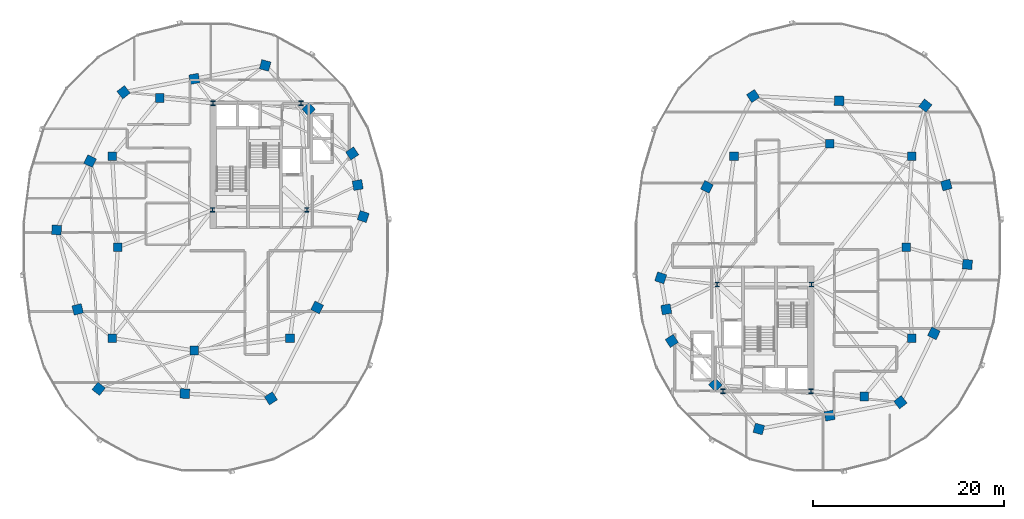
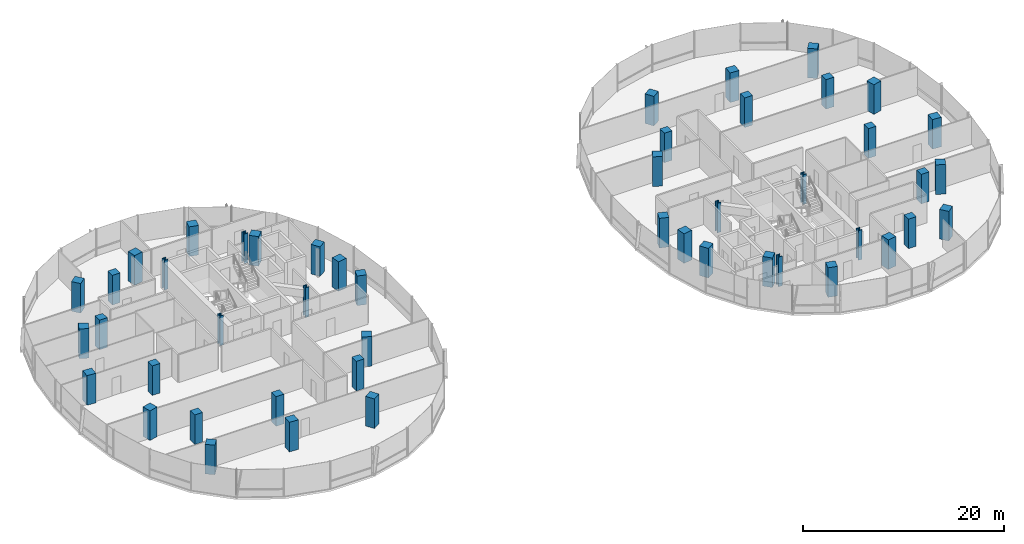
# One storey, part 1 of 23: 48 columns.
"""IFC4 building model written with IfcOpenShell, lengths in metres."""

from ifc_helpers import new_model, si_unit, direction, frame, origin, origin_2d, place, context, subcontext, project, spatial, rectangle, i_section, extrude, material, material_profile, profile_set, type_object, element, save


model = new_model("IFC4")

# Units and contexts
model_context = context("Model", 3, precision=1e-05, world=origin(), true_north=direction((0.0, 1.0)))
body_context = subcontext(model_context, "Body", "Model", "MODEL_VIEW")
ifc_project = project(units=[si_unit("LENGTHUNIT", "METRE"), si_unit("AREAUNIT", "SQUARE_METRE"), si_unit("VOLUMEUNIT", "CUBIC_METRE"), si_unit("PLANEANGLEUNIT", "RADIAN"), si_unit("MASSUNIT", "GRAM", prefix="KILO"), si_unit("THERMODYNAMICTEMPERATUREUNIT", "KELVIN"), si_unit("POWERUNIT", "WATT")], contexts=[model_context])

# Site, building, storey
site_placement = place(None, origin())
site = spatial("IfcSite", under=ifc_project, at=site_placement, CompositionType="ELEMENT")
building_placement = place(site_placement, origin())
building = spatial("IfcBuilding", under=site, at=building_placement, Name="Cundina Bronze Exchange", CompositionType="ELEMENT")
storey_placement = place(building_placement, frame((0.0, 0.0, 169.199951171875)))
storey = spatial("IfcBuildingStorey", under=building, at=storey_placement, Name="L44", CompositionType="ELEMENT", Elevation=169.199951171875)

# Columns
ifc_material_1 = material(Name="Steel ASTM A992 Grade 50", Category="steel")
ifc_material_profile_1 = material_profile(ifc_material_1, i_section(OverallWidth=0.431884765625, OverallDepth=0.498046875, WebThickness=0.0556640625, FlangeThickness=0.0888671875, FilletRadius=0.01806640625, at=origin_2d()), Name="W14X500", Category="steel")
ifc_profile_set_1 = profile_set([ifc_material_profile_1], Name="Steel ASTM A992 Grade 50")
column_type_1 = type_object("IfcColumnType", Name="COL-STL-W14A", PredefinedType="COLUMN", material=ifc_profile_set_1)
for number, where, z_axis, x_axis, name in (
    (1, (-31.300048828125, 3.89990234375, 0.0), (0.0, 0.0, 1.0), (1.0, 0.0, 0.0), "L44 Core Anchor Column W1"),
    (2, (-21.449951171875, 3.89990234375, 0.0), (0.0, 0.0, 1.0), (1.0, 0.0, 0.0), "L44 Core Anchor Column W2"),
    (3, (-22.050048828125, 15.050048828125, 0.0), (0.0, 0.0, 1.0), (1.0, 0.0, 0.0), "L44 Core Anchor Column W3"),
    (4, (-31.25, 15.050048828125, 0.0), (0.0, 0.0, 1.0), (1.0, 0.0, 0.0), "L44 Core Anchor Column W4"),
    (5, (31.300048828125, -3.89990234375, 0.0), (0.0, 0.0, 1.0), (1.0, 0.0, 0.0), "L44 Core Anchor Column E1"),
    (6, (21.449951171875, -3.89990234375, 0.0), (0.0, 0.0, 1.0), (1.0, 0.0, 0.0), "L44 Core Anchor Column E2"),
    (7, (22.050048828125, -15.050048828125, 0.0), (0.0, 0.0, 1.0), (1.0, 0.0, 0.0), "L44 Core Anchor Column E3"),
    (8, (31.25, -15.050048828125, 0.0), (0.0, 0.0, 1.0), (1.0, 0.0, 0.0), "L44 Core Anchor Column E4"),
):
    element("IfcColumn", number, at=place(storey_placement, frame(where, z_axis=z_axis, x_axis=x_axis)), inside=storey, type_object=column_type_1, Name=name, PredefinedType="COLUMN", context=body_context, shape_type="SweptSolid", body=[
        extrude(i_section(OverallWidth=0.431884765625, OverallDepth=0.498046875, WebThickness=0.0556640625, FlangeThickness=0.0888671875, FilletRadius=0.01806640625, at=origin_2d()), origin(), (0.0, 0.0, 1.0), 3.60009765625),
    ])
ifc_material_2 = material(Name="Concrete C50/60", Category="concrete")
ifc_material_profile_2 = material_profile(ifc_material_2, rectangle(XDim=1.0, YDim=1.0, at=origin_2d()), Name="RC1000X1000", Category="concrete")
ifc_profile_set_2 = profile_set([ifc_material_profile_2], Name="Concrete C50/60")
column_type_2 = type_object("IfcColumnType", Name="COL-Z3-1000", PredefinedType="COLUMN", material=ifc_profile_set_2)
for number, where, z_axis, x_axis, name in (
    (9, (-15.550048828125, 3.199951171875, 0.0), (0.0, 0.0, 1.0), (0.315152163383, 0.949041155016, 0.0), "L44 W Perimeter Column 00"),
    (10, (-16.125, 6.5, 0.0), (0.0, 0.0, 1.0), (-0.171585221787, 0.985169280715, 0.0), "L44 W Perimeter Column 01"),
    (11, (-16.699951171875, 9.800048828125, 0.0), (0.0, 0.0, 1.0), (-0.544199833495, 0.838955625301, 0.0), "L44 W Perimeter Column 02"),
    (12, (-21.25, 14.39990234375, 0.0), (0.0, 0.0, 1.0), (-0.703270634186, 0.710922228581, 0.0), "L44 W Perimeter Column 03"),
    (13, (-25.800048828125, 19.0, 0.0), (0.0, 0.0, 1.0), (-0.965970984022, 0.258650455301, 0.0), "L44 W Perimeter Column 04"),
    (14, (-33.199951171875, 17.60009765625, 0.0), (0.0, 0.0, 1.0), (-0.98258037664, -0.185838110843, 0.0), "L44 W Perimeter Column 05"),
    (15, (-40.60009765625, 16.199951171875, 0.0), (0.0, 0.0, 1.0), (-0.785100778485, -0.619368038909, 0.0), "L44 W Perimeter Column 06"),
    (16, (-44.10009765625, 9.0, 0.0), (0.0, 0.0, 1.0), (-0.437115766651, -0.899405251566, 0.0), "L44 W Perimeter Column 07"),
    (17, (-47.60009765625, 1.800048828125, 0.0), (0.0, 0.0, 1.0), (-0.083503921245, -0.996507448611, 0.0), "L44 W Perimeter Column 08"),
    (18, (-45.39990234375, -6.5, 0.0), (0.0, 0.0, 1.0), (0.256289373133, -0.966600102017, 0.0), "L44 W Perimeter Column 09"),
    (19, (-43.199951171875, -14.800048828125, 0.0), (0.0, 0.0, 1.0), (0.786288432137, -0.61785961309, 0.0), "L44 W Perimeter Column 10"),
    (20, (-34.199951171875, -15.300048828125, 0.0), (0.0, 0.0, 1.0), (0.998460188734, -0.055472980025, 0.0), "L44 W Perimeter Column 11"),
    (21, (-25.199951171875, -15.800048828125, 0.0), (0.0, 0.0, 1.0), (0.838099763533, 0.545516989988, 0.0), "L44 W Perimeter Column 12"),
    (22, (-20.375, -6.300048828125, 0.0), (0.0, 0.0, 1.0), (0.452901591366, 0.891560513111, 0.0), "L44 W Perimeter Column 13"),
    (23, (15.550048828125, -3.199951171875, 0.0), (0.0, 0.0, 1.0), (-0.315152163383, -0.949041155016, 0.0), "L44 E Perimeter Column 00"),
    (24, (16.125, -6.5, 0.0), (0.0, 0.0, 1.0), (0.171585221787, -0.985169280715, 0.0), "L44 E Perimeter Column 01"),
    (25, (16.699951171875, -9.800048828125, 0.0), (0.0, 0.0, 1.0), (0.544199833495, -0.838955625301, 0.0), "L44 E Perimeter Column 02"),
    (26, (21.25, -14.39990234375, 0.0), (0.0, 0.0, 1.0), (0.703270634186, -0.710922228581, 0.0), "L44 E Perimeter Column 03"),
    (27, (25.800048828125, -19.0, 0.0), (0.0, 0.0, 1.0), (0.965970984022, -0.258650455301, 0.0), "L44 E Perimeter Column 04"),
    (28, (33.199951171875, -17.60009765625, 0.0), (0.0, 0.0, 1.0), (0.98258037664, 0.185838110843, 0.0), "L44 E Perimeter Column 05"),
    (29, (40.60009765625, -16.199951171875, 0.0), (0.0, 0.0, 1.0), (0.785100778485, 0.619368038909, 0.0), "L44 E Perimeter Column 06"),
    (30, (44.10009765625, -9.0, 0.0), (0.0, 0.0, 1.0), (0.437115766651, 0.899405251566, 0.0), "L44 E Perimeter Column 07"),
    (31, (47.60009765625, -1.800048828125, 0.0), (0.0, 0.0, 1.0), (0.083503921245, 0.996507448611, 0.0), "L44 E Perimeter Column 08"),
    (32, (45.39990234375, 6.5, 0.0), (0.0, 0.0, 1.0), (-0.256289373133, 0.966600102017, 0.0), "L44 E Perimeter Column 09"),
    (33, (43.199951171875, 14.800048828125, 0.0), (0.0, 0.0, 1.0), (-0.786288432137, 0.61785961309, 0.0), "L44 E Perimeter Column 10"),
    (34, (34.199951171875, 15.300048828125, 0.0), (0.0, 0.0, 1.0), (-0.998460188734, 0.055472980025, 0.0), "L44 E Perimeter Column 11"),
    (35, (25.199951171875, 15.800048828125, 0.0), (0.0, 0.0, 1.0), (-0.838099763533, -0.545516989988, 0.0), "L44 E Perimeter Column 12"),
    (36, (20.375, 6.300048828125, 0.0), (0.0, 0.0, 1.0), (-0.452901591366, -0.891560513111, 0.0), "L44 E Perimeter Column 13"),
):
    element("IfcColumn", number, at=place(storey_placement, frame(where, z_axis=z_axis, x_axis=x_axis)), inside=storey, type_object=column_type_2, Name=name, PredefinedType="COLUMN", context=body_context, shape_type="SweptSolid", body=[
        extrude(rectangle(XDim=1.0, YDim=1.0, at=origin_2d()), origin(), (0.0, 0.0, 1.0), 3.60009765625),
    ])
ifc_material_profile_3 = material_profile(ifc_material_2, rectangle(XDim=0.89990234375, YDim=0.89990234375, at=origin_2d()), Name="RC900X900", Category="concrete")
ifc_profile_set_3 = profile_set([ifc_material_profile_3], Name="Concrete C50/60")
column_type_3 = type_object("IfcColumnType", Name="COL-Z4-900", PredefinedType="COLUMN", material=ifc_profile_set_3)
for number, where, z_axis, x_axis, name in (
    (37, (-41.199951171875, 0.0, 0.0), (0.0, 0.0, 1.0), (1.0, 0.0, 0.0), "L44 W Inner Ring Column 1"),
    (38, (-41.800048828125, 9.5, 0.0), (0.0, 0.0, 1.0), (1.0, 0.0, 0.0), "L44 W Inner Ring Column 2"),
    (39, (-36.800048828125, 15.60009765625, 0.0), (0.0, 0.0, 1.0), (1.0, 0.0, 0.0), "L44 W Inner Ring Column 3"),
    (40, (-41.800048828125, -9.5, 0.0), (0.0, 0.0, 1.0), (1.0, 0.0, 0.0), "L44 W Inner Ring Column 4"),
    (41, (-33.199951171875, -10.800048828125, 0.0), (0.0, 0.0, 1.0), (1.0, 0.0, 0.0), "L44 W Inner Ring Column 5"),
    (42, (-23.199951171875, -9.5, 0.0), (0.0, 0.0, 1.0), (1.0, 0.0, 0.0), "L44 W Inner Ring Column 6"),
    (43, (41.199951171875, 0.0, 0.0), (0.0, 0.0, 1.0), (1.0, 0.0, 0.0), "L44 E Inner Ring Column 1"),
    (44, (41.800048828125, -9.5, 0.0), (0.0, 0.0, 1.0), (1.0, 0.0, 0.0), "L44 E Inner Ring Column 2"),
    (45, (36.800048828125, -15.60009765625, 0.0), (0.0, 0.0, 1.0), (1.0, 0.0, 0.0), "L44 E Inner Ring Column 3"),
    (46, (41.800048828125, 9.5, 0.0), (0.0, 0.0, 1.0), (1.0, 0.0, 0.0), "L44 E Inner Ring Column 4"),
    (47, (33.199951171875, 10.800048828125, 0.0), (0.0, 0.0, 1.0), (1.0, 0.0, 0.0), "L44 E Inner Ring Column 5"),
    (48, (23.199951171875, 9.5, 0.0), (0.0, 0.0, 1.0), (1.0, 0.0, 0.0), "L44 E Inner Ring Column 6"),
):
    element("IfcColumn", number, at=place(storey_placement, frame(where, z_axis=z_axis, x_axis=x_axis)), inside=storey, type_object=column_type_3, Name=name, PredefinedType="COLUMN", context=body_context, shape_type="SweptSolid", body=[
        extrude(rectangle(XDim=0.89990234375, YDim=0.89990234375, at=origin_2d()), origin(), (0.0, 0.0, 1.0), 3.60009765625),
    ])

save(model, "model.ifc")
